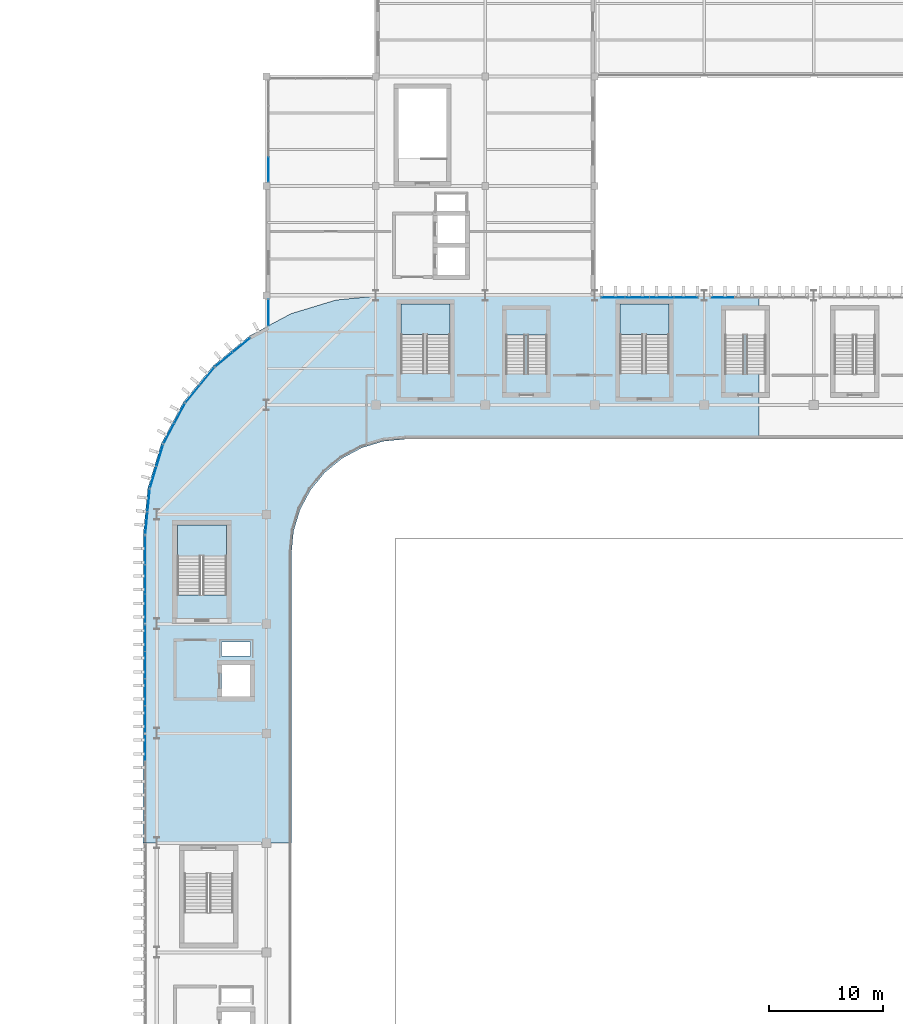
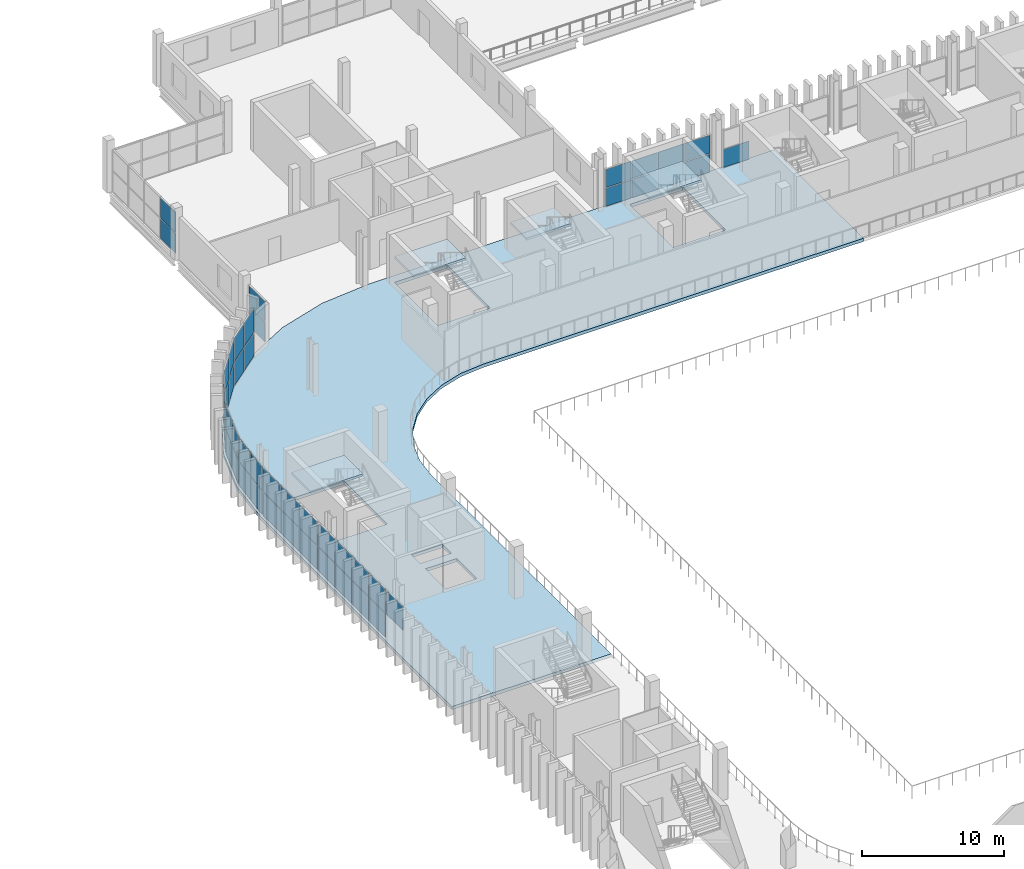
# One storey, part 38 of 75: 48 plates, 5 slabs, 16 elements without a shape of their own.
"""IFC4 building model written with IfcOpenShell, lengths in metres."""

from ifc_helpers import new_model, si_unit, direction, frame, origin, origin_2d, place, context, subcontext, project, spatial, polyline, rectangle, outline, extrude, material, layer, layer_set, type_object, element, aggregate, save


model = new_model("IFC4")

# Units and contexts
model_context = context("Model", 3, precision=1e-05, world=origin(), true_north=direction((0.0, 1.0)))
body_context = subcontext(model_context, "Body", "Model", "MODEL_VIEW")
ifc_project = project(units=[si_unit("LENGTHUNIT", "METRE"), si_unit("AREAUNIT", "SQUARE_METRE"), si_unit("VOLUMEUNIT", "CUBIC_METRE"), si_unit("PLANEANGLEUNIT", "RADIAN"), si_unit("MASSUNIT", "GRAM", prefix="KILO")], contexts=[model_context])

# Site, building, storey
site_placement = place(None, origin())
site = spatial("IfcSite", under=ifc_project, at=site_placement, CompositionType="ELEMENT")
building_placement = place(site_placement, origin())
building = spatial("IfcBuilding", under=site, at=building_placement, Name="Caelomonte Colonnade Arena", CompositionType="ELEMENT")
storey_placement = place(building_placement, frame((0.0, 0.0, 14.10009765625)))
storey = spatial("IfcBuildingStorey", under=building, at=storey_placement, Name="L03", CompositionType="ELEMENT", Elevation=14.10009765625)

# Curtain wall, plate
ifc_material_1 = material(Name="Bronze anodised aluminium and low-E glazing", Category="aluminium")
ifc_layer_1 = layer(ifc_material_1, 0.179931640625)
ifc_layer_set_1 = layer_set([ifc_layer_1], Name="Bronze anodised aluminium and low-E glazing")
curtain_wall_type_1 = type_object("IfcCurtainWallType", Name="ENV-CW-CW-L03-96-33", PredefinedType="USERDEFINED", material=ifc_layer_set_1)
curtain_wall_1_placement = place(storey_placement, origin())
curtain_wall_1 = element("IfcCurtainWall", 1, at=curtain_wall_1_placement, inside=storey, type_object=curtain_wall_type_1, Name="L03 unitized curtain wall CW-L03-1104-1150", ObjectType="UNITIZED CURTAIN WALL", PredefinedType="USERDEFINED")
ifc_material_2 = material(Name="Solar-control bronze low-E double glazing", Category="glass")
ifc_layer_2 = layer(ifc_material_2, 0.035888671875)
ifc_layer_set_2 = layer_set([ifc_layer_2], Name="Solar-control bronze low-E double glazing")
plate_type = type_object("IfcPlateType", Name="ENV-CW-PAN36", PredefinedType="CURTAIN_PANEL", material=ifc_layer_set_2)
plate_1_placement = place(storey_placement, frame((107.187744140625, 115.02001953125, 0.06982421875), z_axis=(0.0, 0.0, 1.0), x_axis=(-1.0, 0.0, 0.0)))
plate_1 = element("IfcPlate", 2, at=plate_1_placement, type_object=plate_type, Name="CW-L03-96-33 panel 4.1", PredefinedType="CURTAIN_PANEL", context=body_context, shape_type="SweptSolid", body=[
    extrude(rectangle(XDim=2.048095703125, YDim=0.035888671875, at=origin_2d()), origin(), (0.0, 0.0, 1.0), 1.551513671875),
])
aggregate(curtain_wall_1, [plate_1])

# Curtain wall, plates
curtain_wall_2_placement = place(storey_placement, origin())
curtain_wall_2 = element("IfcCurtainWall", 3, at=curtain_wall_2_placement, inside=storey, type_object=curtain_wall_type_1, Name="L03 unitized curtain wall CW-L03-1008-1150", ObjectType="UNITIZED CURTAIN WALL", PredefinedType="USERDEFINED")
plate_2_placement = place(storey_placement, frame((104.01220703125, 115.02001953125, 0.06982421875), z_axis=(0.0, 0.0, 1.0), x_axis=(-1.0, 0.0, 0.0)))
plate_2 = element("IfcPlate", 4, at=plate_2_placement, type_object=plate_type, Name="CW-L03-96-33 panel 1.1", PredefinedType="CURTAIN_PANEL", context=body_context, shape_type="SweptSolid", body=[
    extrude(rectangle(XDim=2.048095703125, YDim=0.035888671875, at=origin_2d()), origin(), (0.0, 0.0, 1.0), 1.551513671875),
])
plate_3_placement = place(storey_placement, frame((104.01220703125, 115.02001953125, 1.69140625), z_axis=(0.0, 0.0, 1.0), x_axis=(-1.0, 0.0, 0.0)))
plate_3 = element("IfcPlate", 5, at=plate_3_placement, type_object=plate_type, Name="CW-L03-96-33 panel 1.2", PredefinedType="CURTAIN_PANEL", context=body_context, shape_type="SweptSolid", body=[
    extrude(rectangle(XDim=2.048095703125, YDim=0.035888671875, at=origin_2d()), origin(), (0.0, 0.0, 1.0), 1.551513671875),
])
plate_4_placement = place(storey_placement, frame((101.87646484375, 115.02001953125, 0.06982421875), z_axis=(0.0, 0.0, 1.0), x_axis=(-1.0, 0.0, 0.0)))
plate_4 = element("IfcPlate", 6, at=plate_4_placement, type_object=plate_type, Name="CW-L03-96-33 panel 2.1", PredefinedType="CURTAIN_PANEL", context=body_context, shape_type="SweptSolid", body=[
    extrude(rectangle(XDim=2.083251953125, YDim=0.035888671875, at=origin_2d()), origin(), (0.0, 0.0, 1.0), 1.551513671875),
])
plate_5_placement = place(storey_placement, frame((101.87646484375, 115.02001953125, 1.69140625), z_axis=(0.0, 0.0, 1.0), x_axis=(-1.0, 0.0, 0.0)))
plate_5 = element("IfcPlate", 7, at=plate_5_placement, type_object=plate_type, Name="CW-L03-96-33 panel 2.2", PredefinedType="CURTAIN_PANEL", context=body_context, shape_type="SweptSolid", body=[
    extrude(rectangle(XDim=2.083251953125, YDim=0.035888671875, at=origin_2d()), origin(), (0.0, 0.0, 1.0), 1.551513671875),
])
plate_6_placement = place(storey_placement, frame((99.723388671875, 115.02001953125, 0.06982421875), z_axis=(0.0, 0.0, 1.0), x_axis=(-1.0, 0.0, 0.0)))
plate_6 = element("IfcPlate", 8, at=plate_6_placement, type_object=plate_type, Name="CW-L03-96-33 panel 3.1", PredefinedType="CURTAIN_PANEL", context=body_context, shape_type="SweptSolid", body=[
    extrude(rectangle(XDim=2.083251953125, YDim=0.035888671875, at=origin_2d()), origin(), (0.0, 0.0, 1.0), 1.551513671875),
])
plate_7_placement = place(storey_placement, frame((99.723388671875, 115.02001953125, 1.69140625), z_axis=(0.0, 0.0, 1.0), x_axis=(-1.0, 0.0, 0.0)))
plate_7 = element("IfcPlate", 9, at=plate_7_placement, type_object=plate_type, Name="CW-L03-96-33 panel 3.2", PredefinedType="CURTAIN_PANEL", context=body_context, shape_type="SweptSolid", body=[
    extrude(rectangle(XDim=2.083251953125, YDim=0.035888671875, at=origin_2d()), origin(), (0.0, 0.0, 1.0), 1.551513671875),
])
plate_8_placement = place(storey_placement, frame((97.587890625, 115.02001953125, 0.06982421875), z_axis=(0.0, 0.0, 1.0), x_axis=(-1.0, 0.0, 0.0)))
plate_8 = element("IfcPlate", 10, at=plate_8_placement, type_object=plate_type, Name="CW-L03-96-33 panel 4.1", PredefinedType="CURTAIN_PANEL", context=body_context, shape_type="SweptSolid", body=[
    extrude(rectangle(XDim=2.048095703125, YDim=0.035888671875, at=origin_2d()), origin(), (0.0, 0.0, 1.0), 1.551513671875),
])
plate_9_placement = place(storey_placement, frame((97.587890625, 115.02001953125, 1.69140625), z_axis=(0.0, 0.0, 1.0), x_axis=(-1.0, 0.0, 0.0)))
plate_9 = element("IfcPlate", 11, at=plate_9_placement, type_object=plate_type, Name="CW-L03-96-33 panel 4.2", PredefinedType="CURTAIN_PANEL", context=body_context, shape_type="SweptSolid", body=[
    extrude(rectangle(XDim=2.048095703125, YDim=0.035888671875, at=origin_2d()), origin(), (0.0, 0.0, 1.0), 1.551513671875),
])
aggregate(curtain_wall_2, [plate_2, plate_3, plate_4, plate_5, plate_6, plate_7, plate_8, plate_9])

ifc_layer_3 = layer(ifc_material_1, 0.179931640625)
ifc_layer_set_3 = layer_set([ifc_layer_3], Name="Bronze anodised aluminium and low-E glazing")
curtain_wall_type_2 = type_object("IfcCurtainWallType", Name="ENV-CW-CW-L03-96-36", PredefinedType="USERDEFINED", material=ifc_layer_set_3)
curtain_wall_3_placement = place(storey_placement, origin())
curtain_wall_3 = element("IfcCurtainWall", 12, at=curtain_wall_3_placement, inside=storey, type_object=curtain_wall_type_2, Name="L03 unitized curtain wall CW-L03-0674-1296", ObjectType="UNITIZED CURTAIN WALL", PredefinedType="USERDEFINED")
plate_10_placement = place(storey_placement, frame((67.3798828125, 126.25634765625, 0.06494140625), z_axis=(0.0, 0.0, 1.0), x_axis=(0.0, -1.0, 0.0)))
plate_10 = element("IfcPlate", 13, at=plate_10_placement, type_object=plate_type, Name="CW-L03-96-36 panel 4.1", PredefinedType="CURTAIN_PANEL", context=body_context, shape_type="SweptSolid", body=[
    extrude(rectangle(XDim=2.142578125, YDim=0.035888671875, at=origin_2d()), origin(), (0.0, 0.0, 1.0), 1.721435546875),
])
plate_11_placement = place(storey_placement, frame((67.3798828125, 126.25634765625, 1.8515625), z_axis=(0.0, 0.0, 1.0), x_axis=(0.0, -1.0, 0.0)))
plate_11 = element("IfcPlate", 14, at=plate_11_placement, type_object=plate_type, Name="CW-L03-96-36 panel 4.2", PredefinedType="CURTAIN_PANEL", context=body_context, shape_type="SweptSolid", body=[
    extrude(rectangle(XDim=2.142578125, YDim=0.035888671875, at=origin_2d()), origin(), (0.0, 0.0, 1.0), 1.721435546875),
])
aggregate(curtain_wall_3, [plate_10, plate_11])

ifc_layer_4 = layer(ifc_material_1, 0.179931640625)
ifc_layer_set_4 = layer_set([ifc_layer_4], Name="Bronze anodised aluminium and low-E glazing")
curtain_wall_type_3 = type_object("IfcCurtainWallType", Name="ENV-CW-CW-L03-29-36", PredefinedType="USERDEFINED", material=ifc_layer_set_4)
curtain_wall_4_placement = place(storey_placement, origin())
curtain_wall_4 = element("IfcCurtainWall", 15, at=curtain_wall_4_placement, inside=storey, type_object=curtain_wall_type_3, Name="L03 unitized curtain wall CW-L03-0674-1138", ObjectType="UNITIZED CURTAIN WALL", PredefinedType="USERDEFINED")
plate_12_placement = place(storey_placement, frame((67.3798828125, 113.6826171875, 0.06982421875), z_axis=(0.0, 0.0, 1.0), x_axis=(0.0, -1.0, 0.0)))
plate_12 = element("IfcPlate", 16, at=plate_12_placement, type_object=plate_type, Name="CW-L03-29-36 panel 1.1", PredefinedType="CURTAIN_PANEL", context=body_context, shape_type="SweptSolid", body=[
    extrude(rectangle(XDim=2.2548828125, YDim=0.035888671875, at=origin_2d()), origin(), (0.0, 0.0, 1.0), 1.714111328125),
])
plate_13_placement = place(storey_placement, frame((67.3798828125, 113.6826171875, 1.85400390625), z_axis=(0.0, 0.0, 1.0), x_axis=(0.0, -1.0, 0.0)))
plate_13 = element("IfcPlate", 17, at=plate_13_placement, type_object=plate_type, Name="CW-L03-29-36 panel 1.2", PredefinedType="CURTAIN_PANEL", context=body_context, shape_type="SweptSolid", body=[
    extrude(rectangle(XDim=2.2548828125, YDim=0.035888671875, at=origin_2d()), origin(), (0.0, 0.0, 1.0), 1.714111328125),
])
aggregate(curtain_wall_4, [plate_12, plate_13])

ifc_layer_5 = layer(ifc_material_1, 0.179931640625)
ifc_layer_set_5 = layer_set([ifc_layer_5], Name="Bronze anodised aluminium and low-E glazing")
curtain_wall_type_4 = type_object("IfcCurtainWallType", Name="ENV-CW-CW-L03-44-42", PredefinedType="USERDEFINED", material=ifc_layer_set_5)
curtain_wall_5_placement = place(storey_placement, origin())
curtain_wall_5 = element("IfcCurtainWall", 18, at=curtain_wall_5_placement, inside=storey, type_object=curtain_wall_type_4, Name="L03 unitized curtain wall CW-L03-0643-1102", ObjectType="UNITIZED CURTAIN WALL", PredefinedType="USERDEFINED")
plate_14_placement = place(storey_placement, frame((65.022705078125, 110.844970703125, 0.06982421875), z_axis=(0.0, 0.0, 1.0), x_axis=(-0.772991751994, -0.634416071163, 0.0)))
plate_14 = element("IfcPlate", 19, at=plate_14_placement, type_object=plate_type, Name="CW-L03-44-42 panel 1.1", PredefinedType="CURTAIN_PANEL", context=body_context, shape_type="SweptSolid", body=[
    extrude(rectangle(XDim=1.913330078125, YDim=0.035888671875, at=origin_2d()), origin(), (0.0, 0.0, 1.0), 2.014892578125),
])
plate_15_placement = place(storey_placement, frame((65.022705078125, 110.844970703125, 2.15478515625), z_axis=(0.0, 0.0, 1.0), x_axis=(-0.772991751994, -0.634416071163, 0.0)))
plate_15 = element("IfcPlate", 20, at=plate_15_placement, type_object=plate_type, Name="CW-L03-44-42 panel 1.2", PredefinedType="CURTAIN_PANEL", context=body_context, shape_type="SweptSolid", body=[
    extrude(rectangle(XDim=1.913330078125, YDim=0.035888671875, at=origin_2d()), origin(), (0.0, 0.0, 1.0), 2.014892578125),
])
plate_16_placement = place(storey_placement, frame((63.489501953125, 109.586669921875, 0.06982421875), z_axis=(0.0, 0.0, 1.0), x_axis=(-0.772991751994, -0.634416071163, 0.0)))
plate_16 = element("IfcPlate", 21, at=plate_16_placement, type_object=plate_type, Name="CW-L03-44-42 panel 2.1", PredefinedType="CURTAIN_PANEL", context=body_context, shape_type="SweptSolid", body=[
    extrude(rectangle(XDim=1.913330078125, YDim=0.035888671875, at=origin_2d()), origin(), (0.0, 0.0, 1.0), 2.014892578125),
])
plate_17_placement = place(storey_placement, frame((63.489501953125, 109.586669921875, 2.15478515625), z_axis=(0.0, 0.0, 1.0), x_axis=(-0.772991751994, -0.634416071163, 0.0)))
plate_17 = element("IfcPlate", 22, at=plate_17_placement, type_object=plate_type, Name="CW-L03-44-42 panel 2.2", PredefinedType="CURTAIN_PANEL", context=body_context, shape_type="SweptSolid", body=[
    extrude(rectangle(XDim=1.913330078125, YDim=0.035888671875, at=origin_2d()), origin(), (0.0, 0.0, 1.0), 2.014892578125),
])
aggregate(curtain_wall_5, [plate_14, plate_15, plate_16, plate_17])

curtain_wall_6_placement = place(storey_placement, origin())
curtain_wall_6 = element("IfcCurtainWall", 23, at=curtain_wall_6_placement, inside=storey, type_object=curtain_wall_type_4, Name="L03 unitized curtain wall CW-L03-0614-1073", ObjectType="UNITIZED CURTAIN WALL", PredefinedType="USERDEFINED")
plate_18_placement = place(storey_placement, frame((62.01318359375, 108.1103515625, 0.06982421875), z_axis=(0.0, 0.0, 1.0), x_axis=(-0.634416071163, -0.772991751994, 0.0)))
plate_18 = element("IfcPlate", 24, at=plate_18_placement, type_object=plate_type, Name="CW-L03-44-42 panel 1.1", PredefinedType="CURTAIN_PANEL", context=body_context, shape_type="SweptSolid", body=[
    extrude(rectangle(XDim=1.913330078125, YDim=0.035888671875, at=origin_2d()), origin(), (0.0, 0.0, 1.0), 2.014892578125),
])
plate_19_placement = place(storey_placement, frame((62.01318359375, 108.1103515625, 2.15478515625), z_axis=(0.0, 0.0, 1.0), x_axis=(-0.634416071163, -0.772991751994, 0.0)))
plate_19 = element("IfcPlate", 25, at=plate_19_placement, type_object=plate_type, Name="CW-L03-44-42 panel 1.2", PredefinedType="CURTAIN_PANEL", context=body_context, shape_type="SweptSolid", body=[
    extrude(rectangle(XDim=1.913330078125, YDim=0.035888671875, at=origin_2d()), origin(), (0.0, 0.0, 1.0), 2.014892578125),
])
plate_20_placement = place(storey_placement, frame((60.7548828125, 106.577392578125, 0.06982421875), z_axis=(0.0, 0.0, 1.0), x_axis=(-0.634416071163, -0.772991751994, 0.0)))
plate_20 = element("IfcPlate", 26, at=plate_20_placement, type_object=plate_type, Name="CW-L03-44-42 panel 2.1", PredefinedType="CURTAIN_PANEL", context=body_context, shape_type="SweptSolid", body=[
    extrude(rectangle(XDim=1.913330078125, YDim=0.035888671875, at=origin_2d()), origin(), (0.0, 0.0, 1.0), 2.014892578125),
])
plate_21_placement = place(storey_placement, frame((60.7548828125, 106.577392578125, 2.15478515625), z_axis=(0.0, 0.0, 1.0), x_axis=(-0.634416071163, -0.772991751994, 0.0)))
plate_21 = element("IfcPlate", 27, at=plate_21_placement, type_object=plate_type, Name="CW-L03-44-42 panel 2.2", PredefinedType="CURTAIN_PANEL", context=body_context, shape_type="SweptSolid", body=[
    extrude(rectangle(XDim=1.913330078125, YDim=0.035888671875, at=origin_2d()), origin(), (0.0, 0.0, 1.0), 2.014892578125),
])
aggregate(curtain_wall_6, [plate_18, plate_19, plate_20, plate_21])

curtain_wall_7_placement = place(storey_placement, origin())
curtain_wall_7 = element("IfcCurtainWall", 28, at=curtain_wall_7_placement, inside=storey, type_object=curtain_wall_type_4, Name="L03 unitized curtain wall CW-L03-0591-1040", ObjectType="UNITIZED CURTAIN WALL", PredefinedType="USERDEFINED")
plate_22_placement = place(storey_placement, frame((59.594970703125, 104.841552734375, 0.06982421875), z_axis=(0.0, 0.0, 1.0), x_axis=(-0.471394212466, -0.881922613642, 0.0)))
plate_22 = element("IfcPlate", 29, at=plate_22_placement, type_object=plate_type, Name="CW-L03-44-42 panel 1.1", PredefinedType="CURTAIN_PANEL", context=body_context, shape_type="SweptSolid", body=[
    extrude(rectangle(XDim=1.913330078125, YDim=0.035888671875, at=origin_2d()), origin(), (0.0, 0.0, 1.0), 2.014892578125),
])
plate_23_placement = place(storey_placement, frame((59.594970703125, 104.841552734375, 2.15478515625), z_axis=(0.0, 0.0, 1.0), x_axis=(-0.471394212466, -0.881922613642, 0.0)))
plate_23 = element("IfcPlate", 30, at=plate_23_placement, type_object=plate_type, Name="CW-L03-44-42 panel 1.2", PredefinedType="CURTAIN_PANEL", context=body_context, shape_type="SweptSolid", body=[
    extrude(rectangle(XDim=1.913330078125, YDim=0.035888671875, at=origin_2d()), origin(), (0.0, 0.0, 1.0), 2.014892578125),
])
plate_24_placement = place(storey_placement, frame((58.66015625, 103.09228515625, 0.06982421875), z_axis=(0.0, 0.0, 1.0), x_axis=(-0.471394212466, -0.881922613642, 0.0)))
plate_24 = element("IfcPlate", 31, at=plate_24_placement, type_object=plate_type, Name="CW-L03-44-42 panel 2.1", PredefinedType="CURTAIN_PANEL", context=body_context, shape_type="SweptSolid", body=[
    extrude(rectangle(XDim=1.913330078125, YDim=0.035888671875, at=origin_2d()), origin(), (0.0, 0.0, 1.0), 2.014892578125),
])
plate_25_placement = place(storey_placement, frame((58.66015625, 103.09228515625, 2.15478515625), z_axis=(0.0, 0.0, 1.0), x_axis=(-0.471394212466, -0.881922613642, 0.0)))
plate_25 = element("IfcPlate", 32, at=plate_25_placement, type_object=plate_type, Name="CW-L03-44-42 panel 2.2", PredefinedType="CURTAIN_PANEL", context=body_context, shape_type="SweptSolid", body=[
    extrude(rectangle(XDim=1.913330078125, YDim=0.035888671875, at=origin_2d()), origin(), (0.0, 0.0, 1.0), 2.014892578125),
])
aggregate(curtain_wall_7, [plate_22, plate_23, plate_24, plate_25])

curtain_wall_8_placement = place(storey_placement, origin())
curtain_wall_8 = element("IfcCurtainWall", 33, at=curtain_wall_8_placement, inside=storey, type_object=curtain_wall_type_4, Name="L03 unitized curtain wall CW-L03-0576-1002", ObjectType="UNITIZED CURTAIN WALL", PredefinedType="USERDEFINED")
plate_26_placement = place(storey_placement, frame((57.861083984375, 101.163330078125, 0.06982421875), z_axis=(0.0, 0.0, 1.0), x_axis=(-0.290255582655, -0.956949160999, 0.0)))
plate_26 = element("IfcPlate", 34, at=plate_26_placement, type_object=plate_type, Name="CW-L03-44-42 panel 1.1", PredefinedType="CURTAIN_PANEL", context=body_context, shape_type="SweptSolid", body=[
    extrude(rectangle(XDim=1.913330078125, YDim=0.035888671875, at=origin_2d()), origin(), (0.0, 0.0, 1.0), 2.014892578125),
])
plate_27_placement = place(storey_placement, frame((57.861083984375, 101.163330078125, 2.15478515625), z_axis=(0.0, 0.0, 1.0), x_axis=(-0.290255582655, -0.956949160999, 0.0)))
plate_27 = element("IfcPlate", 35, at=plate_27_placement, type_object=plate_type, Name="CW-L03-44-42 panel 1.2", PredefinedType="CURTAIN_PANEL", context=body_context, shape_type="SweptSolid", body=[
    extrude(rectangle(XDim=1.913330078125, YDim=0.035888671875, at=origin_2d()), origin(), (0.0, 0.0, 1.0), 2.014892578125),
])
plate_28_placement = place(storey_placement, frame((57.285400390625, 99.265380859375, 0.06982421875), z_axis=(0.0, 0.0, 1.0), x_axis=(-0.290255582655, -0.956949160999, 0.0)))
plate_28 = element("IfcPlate", 36, at=plate_28_placement, type_object=plate_type, Name="CW-L03-44-42 panel 2.1", PredefinedType="CURTAIN_PANEL", context=body_context, shape_type="SweptSolid", body=[
    extrude(rectangle(XDim=1.913330078125, YDim=0.035888671875, at=origin_2d()), origin(), (0.0, 0.0, 1.0), 2.014892578125),
])
plate_29_placement = place(storey_placement, frame((57.285400390625, 99.265380859375, 2.15478515625), z_axis=(0.0, 0.0, 1.0), x_axis=(-0.290255582655, -0.956949160999, 0.0)))
plate_29 = element("IfcPlate", 37, at=plate_29_placement, type_object=plate_type, Name="CW-L03-44-42 panel 2.2", PredefinedType="CURTAIN_PANEL", context=body_context, shape_type="SweptSolid", body=[
    extrude(rectangle(XDim=1.913330078125, YDim=0.035888671875, at=origin_2d()), origin(), (0.0, 0.0, 1.0), 2.014892578125),
])
aggregate(curtain_wall_8, [plate_26, plate_27, plate_28, plate_29])

curtain_wall_9_placement = place(storey_placement, origin())
curtain_wall_9 = element("IfcCurtainWall", 38, at=curtain_wall_9_placement, inside=storey, type_object=curtain_wall_type_4, Name="L03 unitized curtain wall CW-L03-0568-0962", ObjectType="UNITIZED CURTAIN WALL", PredefinedType="USERDEFINED")
plate_30_placement = place(storey_placement, frame((56.878173828125, 97.2177734375, 0.06982421875), z_axis=(0.0, 0.0, 1.0), x_axis=(-0.098002498041, -0.995186168703, 0.0)))
plate_30 = element("IfcPlate", 39, at=plate_30_placement, type_object=plate_type, Name="CW-L03-44-42 panel 1.1", PredefinedType="CURTAIN_PANEL", context=body_context, shape_type="SweptSolid", body=[
    extrude(rectangle(XDim=1.913330078125, YDim=0.035888671875, at=origin_2d()), origin(), (0.0, 0.0, 1.0), 2.014892578125),
])
plate_31_placement = place(storey_placement, frame((56.878173828125, 97.2177734375, 2.15478515625), z_axis=(0.0, 0.0, 1.0), x_axis=(-0.098002498041, -0.995186168703, 0.0)))
plate_31 = element("IfcPlate", 40, at=plate_31_placement, type_object=plate_type, Name="CW-L03-44-42 panel 1.2", PredefinedType="CURTAIN_PANEL", context=body_context, shape_type="SweptSolid", body=[
    extrude(rectangle(XDim=1.913330078125, YDim=0.035888671875, at=origin_2d()), origin(), (0.0, 0.0, 1.0), 2.014892578125),
])
plate_32_placement = place(storey_placement, frame((56.68359375, 95.243896484375, 0.06982421875), z_axis=(0.0, 0.0, 1.0), x_axis=(-0.098002498041, -0.995186168703, 0.0)))
plate_32 = element("IfcPlate", 41, at=plate_32_placement, type_object=plate_type, Name="CW-L03-44-42 panel 2.1", PredefinedType="CURTAIN_PANEL", context=body_context, shape_type="SweptSolid", body=[
    extrude(rectangle(XDim=1.913330078125, YDim=0.035888671875, at=origin_2d()), origin(), (0.0, 0.0, 1.0), 2.014892578125),
])
plate_33_placement = place(storey_placement, frame((56.68359375, 95.243896484375, 2.15478515625), z_axis=(0.0, 0.0, 1.0), x_axis=(-0.098002498041, -0.995186168703, 0.0)))
plate_33 = element("IfcPlate", 42, at=plate_33_placement, type_object=plate_type, Name="CW-L03-44-42 panel 2.2", PredefinedType="CURTAIN_PANEL", context=body_context, shape_type="SweptSolid", body=[
    extrude(rectangle(XDim=1.913330078125, YDim=0.035888671875, at=origin_2d()), origin(), (0.0, 0.0, 1.0), 2.014892578125),
])
aggregate(curtain_wall_9, [plate_30, plate_31, plate_32, plate_33])

ifc_layer_6 = layer(ifc_material_1, 0.179931640625)
ifc_layer_set_6 = layer_set([ifc_layer_6], Name="Bronze anodised aluminium and low-E glazing")
curtain_wall_type_5 = type_object("IfcCurtainWallType", Name="ENV-CW-CW-L03-79-42", PredefinedType="USERDEFINED", material=ifc_layer_set_6)
curtain_wall_10_placement = place(storey_placement, origin())
curtain_wall_10 = element("IfcCurtainWall", 43, at=curtain_wall_10_placement, inside=storey, type_object=curtain_wall_type_5, Name="L03 unitized curtain wall CW-L03-0566-0904", ObjectType="UNITIZED CURTAIN WALL", PredefinedType="USERDEFINED")
plate_34_placement = place(storey_placement, frame((56.580078125, 92.855712890625, 0.06982421875), z_axis=(0.0, 0.0, 1.0), x_axis=(0.0, -1.0, 0.0)))
plate_34 = element("IfcPlate", 44, at=plate_34_placement, type_object=plate_type, Name="CW-L03-79-42 panel 1.1", PredefinedType="CURTAIN_PANEL", context=body_context, shape_type="SweptSolid", body=[
    extrude(rectangle(XDim=2.46826171875, YDim=0.035888671875, at=origin_2d()), origin(), (0.0, 0.0, 1.0), 2.014892578125),
])
plate_35_placement = place(storey_placement, frame((56.580078125, 92.855712890625, 2.15478515625), z_axis=(0.0, 0.0, 1.0), x_axis=(0.0, -1.0, 0.0)))
plate_35 = element("IfcPlate", 45, at=plate_35_placement, type_object=plate_type, Name="CW-L03-79-42 panel 1.2", PredefinedType="CURTAIN_PANEL", context=body_context, shape_type="SweptSolid", body=[
    extrude(rectangle(XDim=2.46826171875, YDim=0.035888671875, at=origin_2d()), origin(), (0.0, 0.0, 1.0), 2.014892578125),
])
plate_36_placement = place(storey_placement, frame((56.580078125, 90.300048828125, 0.06982421875), z_axis=(0.0, 0.0, 1.0), x_axis=(0.0, -1.0, 0.0)))
plate_36 = element("IfcPlate", 46, at=plate_36_placement, type_object=plate_type, Name="CW-L03-79-42 panel 2.1", PredefinedType="CURTAIN_PANEL", context=body_context, shape_type="SweptSolid", body=[
    extrude(rectangle(XDim=2.50341796875, YDim=0.035888671875, at=origin_2d()), origin(), (0.0, 0.0, 1.0), 2.014892578125),
])
plate_37_placement = place(storey_placement, frame((56.580078125, 90.300048828125, 2.15478515625), z_axis=(0.0, 0.0, 1.0), x_axis=(0.0, -1.0, 0.0)))
plate_37 = element("IfcPlate", 47, at=plate_37_placement, type_object=plate_type, Name="CW-L03-79-42 panel 2.2", PredefinedType="CURTAIN_PANEL", context=body_context, shape_type="SweptSolid", body=[
    extrude(rectangle(XDim=2.50341796875, YDim=0.035888671875, at=origin_2d()), origin(), (0.0, 0.0, 1.0), 2.014892578125),
])
plate_38_placement = place(storey_placement, frame((56.580078125, 87.744140625, 0.06982421875), z_axis=(0.0, 0.0, 1.0), x_axis=(0.0, -1.0, 0.0)))
plate_38 = element("IfcPlate", 48, at=plate_38_placement, type_object=plate_type, Name="CW-L03-79-42 panel 3.1", PredefinedType="CURTAIN_PANEL", context=body_context, shape_type="SweptSolid", body=[
    extrude(rectangle(XDim=2.46826171875, YDim=0.035888671875, at=origin_2d()), origin(), (0.0, 0.0, 1.0), 2.014892578125),
])
plate_39_placement = place(storey_placement, frame((56.580078125, 87.744140625, 2.15478515625), z_axis=(0.0, 0.0, 1.0), x_axis=(0.0, -1.0, 0.0)))
plate_39 = element("IfcPlate", 49, at=plate_39_placement, type_object=plate_type, Name="CW-L03-79-42 panel 3.2", PredefinedType="CURTAIN_PANEL", context=body_context, shape_type="SweptSolid", body=[
    extrude(rectangle(XDim=2.46826171875, YDim=0.035888671875, at=origin_2d()), origin(), (0.0, 0.0, 1.0), 2.014892578125),
])
aggregate(curtain_wall_10, [plate_34, plate_35, plate_36, plate_37, plate_38, plate_39])

ifc_layer_7 = layer(ifc_material_1, 0.179931640625)
ifc_layer_set_7 = layer_set([ifc_layer_7], Name="Bronze anodised aluminium and low-E glazing")
curtain_wall_type_6 = type_object("IfcCurtainWallType", Name="ENV-CW-CW-L03-96-42", PredefinedType="USERDEFINED", material=ifc_layer_set_7)
curtain_wall_11_placement = place(storey_placement, origin())
curtain_wall_11 = element("IfcCurtainWall", 50, at=curtain_wall_11_placement, inside=storey, type_object=curtain_wall_type_6, Name="L03 unitized curtain wall CW-L03-0566-0816", ObjectType="UNITIZED CURTAIN WALL", PredefinedType="USERDEFINED")
plate_40_placement = place(storey_placement, frame((56.580078125, 85.152587890625, 0.06982421875), z_axis=(0.0, 0.0, 1.0), x_axis=(0.0, -1.0, 0.0)))
plate_40 = element("IfcPlate", 51, at=plate_40_placement, type_object=plate_type, Name="CW-L03-96-42 panel 1.1", PredefinedType="CURTAIN_PANEL", context=body_context, shape_type="SweptSolid", body=[
    extrude(rectangle(XDim=2.27490234375, YDim=0.035888671875, at=origin_2d()), origin(), (0.0, 0.0, 1.0), 2.014892578125),
])
plate_41_placement = place(storey_placement, frame((56.580078125, 85.152587890625, 2.15478515625), z_axis=(0.0, 0.0, 1.0), x_axis=(0.0, -1.0, 0.0)))
plate_41 = element("IfcPlate", 52, at=plate_41_placement, type_object=plate_type, Name="CW-L03-96-42 panel 1.2", PredefinedType="CURTAIN_PANEL", context=body_context, shape_type="SweptSolid", body=[
    extrude(rectangle(XDim=2.27490234375, YDim=0.035888671875, at=origin_2d()), origin(), (0.0, 0.0, 1.0), 2.014892578125),
])
plate_42_placement = place(storey_placement, frame((56.580078125, 82.7900390625, 0.06982421875), z_axis=(0.0, 0.0, 1.0), x_axis=(0.0, -1.0, 0.0)))
plate_42 = element("IfcPlate", 53, at=plate_42_placement, type_object=plate_type, Name="CW-L03-96-42 panel 2.1", PredefinedType="CURTAIN_PANEL", context=body_context, shape_type="SweptSolid", body=[
    extrude(rectangle(XDim=2.31005859375, YDim=0.035888671875, at=origin_2d()), origin(), (0.0, 0.0, 1.0), 2.014892578125),
])
plate_43_placement = place(storey_placement, frame((56.580078125, 82.7900390625, 2.15478515625), z_axis=(0.0, 0.0, 1.0), x_axis=(0.0, -1.0, 0.0)))
plate_43 = element("IfcPlate", 54, at=plate_43_placement, type_object=plate_type, Name="CW-L03-96-42 panel 2.2", PredefinedType="CURTAIN_PANEL", context=body_context, shape_type="SweptSolid", body=[
    extrude(rectangle(XDim=2.31005859375, YDim=0.035888671875, at=origin_2d()), origin(), (0.0, 0.0, 1.0), 2.014892578125),
])
plate_44_placement = place(storey_placement, frame((56.580078125, 80.409912109375, 0.06982421875), z_axis=(0.0, 0.0, 1.0), x_axis=(0.0, -1.0, 0.0)))
plate_44 = element("IfcPlate", 55, at=plate_44_placement, type_object=plate_type, Name="CW-L03-96-42 panel 3.1", PredefinedType="CURTAIN_PANEL", context=body_context, shape_type="SweptSolid", body=[
    extrude(rectangle(XDim=2.31005859375, YDim=0.035888671875, at=origin_2d()), origin(), (0.0, 0.0, 1.0), 2.014892578125),
])
plate_45_placement = place(storey_placement, frame((56.580078125, 80.409912109375, 2.15478515625), z_axis=(0.0, 0.0, 1.0), x_axis=(0.0, -1.0, 0.0)))
plate_45 = element("IfcPlate", 56, at=plate_45_placement, type_object=plate_type, Name="CW-L03-96-42 panel 3.2", PredefinedType="CURTAIN_PANEL", context=body_context, shape_type="SweptSolid", body=[
    extrude(rectangle(XDim=2.31005859375, YDim=0.035888671875, at=origin_2d()), origin(), (0.0, 0.0, 1.0), 2.014892578125),
])
plate_46_placement = place(storey_placement, frame((56.580078125, 78.047607421875, 0.06982421875), z_axis=(0.0, 0.0, 1.0), x_axis=(0.0, -1.0, 0.0)))
plate_46 = element("IfcPlate", 57, at=plate_46_placement, type_object=plate_type, Name="CW-L03-96-42 panel 4.1", PredefinedType="CURTAIN_PANEL", context=body_context, shape_type="SweptSolid", body=[
    extrude(rectangle(XDim=2.27490234375, YDim=0.035888671875, at=origin_2d()), origin(), (0.0, 0.0, 1.0), 2.014892578125),
])
plate_47_placement = place(storey_placement, frame((56.580078125, 78.047607421875, 2.15478515625), z_axis=(0.0, 0.0, 1.0), x_axis=(0.0, -1.0, 0.0)))
plate_47 = element("IfcPlate", 58, at=plate_47_placement, type_object=plate_type, Name="CW-L03-96-42 panel 4.2", PredefinedType="CURTAIN_PANEL", context=body_context, shape_type="SweptSolid", body=[
    extrude(rectangle(XDim=2.27490234375, YDim=0.035888671875, at=origin_2d()), origin(), (0.0, 0.0, 1.0), 2.014892578125),
])
aggregate(curtain_wall_11, [plate_40, plate_41, plate_42, plate_43, plate_44, plate_45, plate_46, plate_47])

# Curtain wall, plate
curtain_wall_12_placement = place(storey_placement, origin())
curtain_wall_12 = element("IfcCurtainWall", 59, at=curtain_wall_12_placement, inside=storey, type_object=curtain_wall_type_6, Name="L03 unitized curtain wall CW-L03-0566-0720", ObjectType="UNITIZED CURTAIN WALL", PredefinedType="USERDEFINED")
plate_48_placement = place(storey_placement, frame((56.580078125, 75.552490234375, 2.15478515625), z_axis=(0.0, 0.0, 1.0), x_axis=(0.0, -1.0, 0.0)))
plate_48 = element("IfcPlate", 60, at=plate_48_placement, type_object=plate_type, Name="CW-L03-96-42 panel 1.2", PredefinedType="CURTAIN_PANEL", context=body_context, shape_type="SweptSolid", body=[
    extrude(rectangle(XDim=2.27490234375, YDim=0.035888671875, at=origin_2d()), origin(), (0.0, 0.0, 1.0), 2.014892578125),
])
aggregate(curtain_wall_12, [plate_48])

# Stair, slab
ifc_material_3 = material(Name="Concrete C40/50", Category="concrete")
stair_type_1 = type_object("IfcStairType", Name="INT-ST-WING45", PredefinedType="HALF_TURN_STAIR", material=ifc_material_3)
stair_1_placement = place(storey_placement, origin())
stair_1 = element("IfcStair", 61, at=stair_1_placement, inside=storey, type_object=stair_type_1, Name="L03 Core C4 exit stair ST-04", PredefinedType="HALF_TURN_STAIR")
ifc_layer_8 = layer(ifc_material_3, 0.199951171875)
ifc_layer_set_8 = layer_set([ifc_layer_8], Name="Concrete C40/50")
slab_type_1 = type_object("IfcSlabType", Name="INT-SL-LAND20", PredefinedType="LANDING", material=ifc_layer_set_8)
slab_1_placement = place(storey_placement, frame((0.0, 0.0, 2.0498046875)))
slab_1 = element("IfcSlab", 62, at=slab_1_placement, type_object=slab_type_1, Name="ST-04 landing 1", PredefinedType="LANDING", context=body_context, shape_type="SweptSolid", body=[
    extrude(outline(polyline([(63.699951171875, 92.3701171875), (63.699951171875, 95.050048828125), (59.39990234375, 95.050048828125), (59.39990234375, 92.3701171875), (63.699951171875, 92.3701171875)])), origin(), (0.0, 0.0, 1.0), 0.2001953125),
])
aggregate(stair_1, [slab_1])

stair_type_2 = type_object("IfcStairType", Name="INT-ST-CORE45", PredefinedType="HALF_TURN_STAIR", material=ifc_material_3)
stair_2_placement = place(storey_placement, origin())
stair_2 = element("IfcStair", 63, at=stair_2_placement, inside=storey, type_object=stair_type_2, Name="L03 Protected exit stair ST-14", PredefinedType="HALF_TURN_STAIR")
slab_2_placement = place(storey_placement, frame((0.0, 0.0, 2.0498046875)))
slab_2 = element("IfcSlab", 64, at=slab_2_placement, type_object=slab_type_1, Name="ST-14 landing 1", PredefinedType="LANDING", context=body_context, shape_type="SweptSolid", body=[
    extrude(outline(polyline([(83.300048828125, 111.77001953125), (83.300048828125, 114.449951171875), (79.0, 114.449951171875), (79.0, 111.77001953125), (83.300048828125, 111.77001953125)])), origin(), (0.0, 0.0, 1.0), 0.2001953125),
])
aggregate(stair_2, [slab_2])

stair_3_placement = place(storey_placement, origin())
stair_3 = element("IfcStair", 65, at=stair_3_placement, inside=storey, type_object=stair_type_2, Name="L03 Protected exit stair ST-15", PredefinedType="HALF_TURN_STAIR")
slab_3_placement = place(storey_placement, frame((0.0, 0.0, 2.0498046875)))
slab_3 = element("IfcSlab", 66, at=slab_3_placement, type_object=slab_type_1, Name="ST-15 landing 1", PredefinedType="LANDING", context=body_context, shape_type="SweptSolid", body=[
    extrude(outline(polyline([(102.5, 111.77001953125), (102.5, 114.449951171875), (98.199951171875, 114.449951171875), (98.199951171875, 111.77001953125), (102.5, 111.77001953125)])), origin(), (0.0, 0.0, 1.0), 0.2001953125),
])
aggregate(stair_3, [slab_3])

ifc_material_4 = material(Name="Precast concrete C40/50", Category="concrete")
stair_type_3 = type_object("IfcStairType", Name="INT-ST-VOMU", PredefinedType="HALF_TURN_STAIR", material=ifc_material_4)
stair_4_placement = place(storey_placement, origin())
stair_4 = element("IfcStair", 67, at=stair_4_placement, inside=storey, type_object=stair_type_3, Name="L03 Vomitory VOM-13 aisle stair ST-V13", PredefinedType="HALF_TURN_STAIR")
slab_4_placement = place(storey_placement, frame((0.0, 0.0, 2.0498046875)))
slab_4 = element("IfcSlab", 68, at=slab_4_placement, type_object=slab_type_1, Name="ST-V13 landing 1", PredefinedType="LANDING", context=body_context, shape_type="SweptSolid", body=[
    extrude(outline(polyline([(91.800048828125, 111.719970703125), (91.800048828125, 114.0), (88.199951171875, 114.0), (88.199951171875, 111.719970703125), (91.800048828125, 111.719970703125)])), origin(), (0.0, 0.0, 1.0), 0.2001953125),
])
aggregate(stair_4, [slab_4])

# Slab
ifc_layer_9 = layer(ifc_material_3, 0.280029296875)
ifc_layer_set_9 = layer_set([ifc_layer_9], Name="Concrete C40/50")
slab_type_2 = type_object("IfcSlabType", Name="STR-SL-FLR28", PredefinedType="FLOOR", material=ifc_layer_set_9)
slab_5_placement = place(storey_placement, frame((0.0, 0.0, -0.280029296875)))
element("IfcSlab", 69, at=slab_5_placement, inside=storey, type_object=slab_type_2, Name="L03 structural floor slab SL-L03-V1-NW", PredefinedType="FLOOR", context=body_context, shape_type="SweptSolid", body=[
    extrude(outline(polyline([(56.39990234375, 94.199951171875), (56.39990234375, 67.199951171875), (69.39990234375, 67.199951171875), (69.39990234375, 92.60009765625), (69.592041015625, 94.55078125), (70.1611328125, 96.4267578125), (71.085205078125, 98.15576171875), (72.328857421875, 99.671142578125), (73.84423828125, 100.914794921875), (75.5732421875, 101.8388671875), (77.44921875, 102.407958984375), (79.39990234375, 102.60009765625), (110.39990234375, 102.60009765625), (110.39990234375, 115.199951171875), (77.39990234375, 115.199951171875), (73.302978515625, 114.79638671875), (69.363525390625, 113.6015625), (65.73291015625, 111.660888671875), (62.55078125, 109.04931640625), (59.939208984375, 105.866943359375), (57.99853515625, 102.236328125), (56.803466796875, 98.296875), (56.39990234375, 94.199951171875)]), holes=[polyline([(63.280029296875, 79.97998046875), (63.280029296875, 82.820068359375), (65.820068359375, 82.820068359375), (65.820068359375, 79.97998046875), (63.280029296875, 79.97998046875)]), polyline([(65.820068359375, 83.580078125), (63.280029296875, 83.580078125), (63.280029296875, 84.820068359375), (65.820068359375, 84.820068359375), (65.820068359375, 83.580078125)]), polyline([(59.39990234375, 88.949951171875), (59.39990234375, 95.050048828125), (63.699951171875, 95.050048828125), (63.699951171875, 88.949951171875), (59.39990234375, 88.949951171875)]), polyline([(79.0, 108.35009765625), (79.0, 114.449951171875), (83.300048828125, 114.449951171875), (83.300048828125, 108.35009765625), (79.0, 108.35009765625)]), polyline([(98.199951171875, 108.35009765625), (98.199951171875, 114.449951171875), (102.5, 114.449951171875), (102.5, 108.35009765625), (98.199951171875, 108.35009765625)])]), origin(), (0.0, 0.0, 1.0), 0.280029296875),
])

save(model, "model.ifc")
